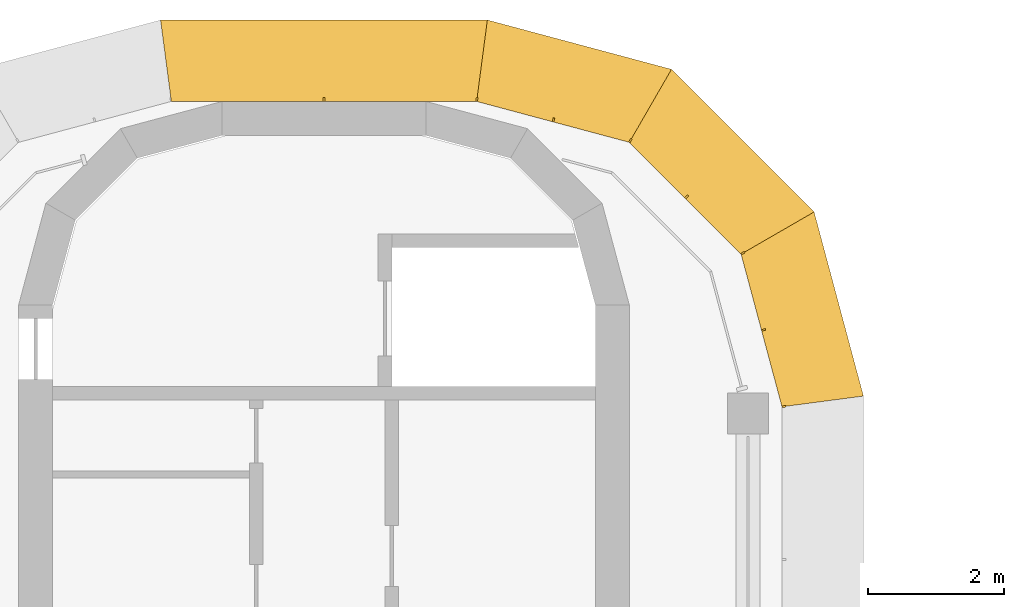
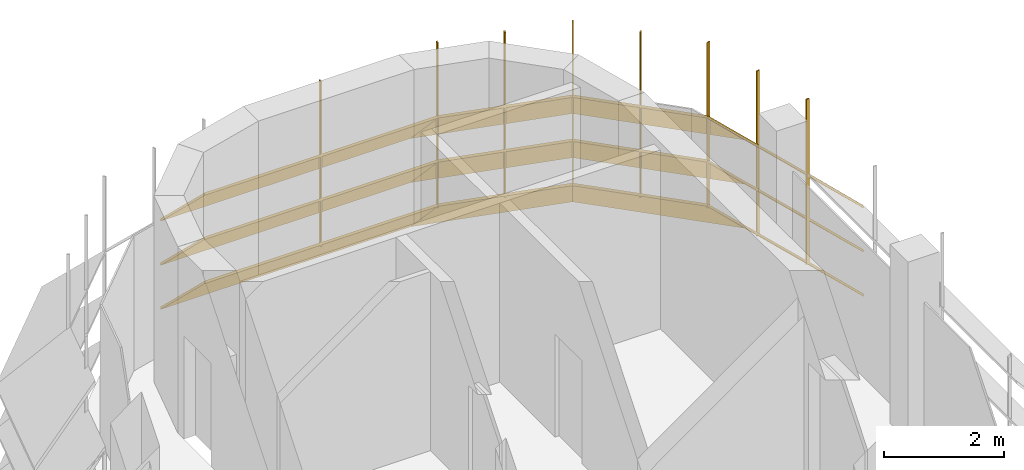
# One storey, part 19 of 19: 2 shading devices.
"""IFC4 building model written with IfcOpenShell, lengths in metres."""

from ifc_helpers import new_model, si_unit, direction, frame, origin, place, context, subcontext, project, spatial, polyline, outline, extrude, faceted_brep, source, transform, mapped, material, type_object, element, save


model = new_model("IFC4")

# Units and contexts
model_context = context("Model", 3, precision=1e-05, world=origin(), true_north=direction((0.0, 1.0)))
body_context = subcontext(model_context, "Body", "Model", "MODEL_VIEW")
ifc_project = project(units=[si_unit("LENGTHUNIT", "METRE"), si_unit("AREAUNIT", "SQUARE_METRE"), si_unit("VOLUMEUNIT", "CUBIC_METRE"), si_unit("PLANEANGLEUNIT", "RADIAN"), si_unit("MASSUNIT", "GRAM", prefix="KILO")], contexts=[model_context])

# Site, building, storey
site_placement = place(None, origin())
site = spatial("IfcSite", under=ifc_project, at=site_placement, CompositionType="ELEMENT")
building_placement = place(site_placement, origin())
building = spatial("IfcBuilding", under=site, at=building_placement, Name="Zarbagh Exchange Tower", CompositionType="ELEMENT")
storey_placement = place(building_placement, frame((0.0, 0.0, 272.60009765625)))
storey = spatial("IfcBuildingStorey", under=building, at=storey_placement, Name="L67", CompositionType="ELEMENT", Elevation=272.60009765625)

# Shading devices
ifc_material = material(Name="Anodised aluminium blades and brackets", Category="aluminium")
shading_device_type = type_object("IfcShadingDeviceType", Name="SUNSHADE louvre band, 45 degree blades", PredefinedType="JALOUSIE", material=ifc_material)
shared_shape_1 = source(origin(), body_context, "Body", "Brep", [
    faceted_brep([(0.0, 0.0, 0.0), (0.0, 0.0, -0.056640625), (-0.157958984375, -1.199951171875, -1.256591796875), (-0.157958984375, -1.199951171875, -1.199951171875), (2.65087890625, -1.199951171875, -1.199951171875), (2.65087890625, -1.199951171875, -1.256591796875), (2.329345703125, 0.0, -0.056640625), (2.329345703125, 0.0, 0.0)], [[[0, 1, 2, 3]], [[4, 5, 6, 7]], [[0, 7, 6, 1]], [[1, 6, 5, 2]], [[2, 5, 4, 3]], [[3, 4, 7, 0]]]),
])
shared_shape_2 = source(origin(), body_context, "Body", "Brep", [
    faceted_brep([(0.0, 0.0, 0.0), (0.0, 0.0, -0.056640625), (-0.321533203125, -1.199951171875, -1.256591796875), (-0.321533203125, -1.199951171875, -1.199951171875), (2.65087890625, -1.199951171875, -1.199951171875), (2.65087890625, -1.199951171875, -1.256591796875), (2.329345703125, 0.0, -0.056640625), (2.329345703125, 0.0, 0.0)], [[[0, 1, 2, 3]], [[4, 5, 6, 7]], [[0, 7, 6, 1]], [[1, 6, 5, 2]], [[2, 5, 4, 3]], [[3, 4, 7, 0]]]),
])
shared_shape_3 = source(origin(), body_context, "Body", "Brep", [
    faceted_brep([(0.0, 0.0, 0.0), (0.0, 0.0, -0.056640625), (-0.321533203125, -1.199951171875, -1.256591796875), (-0.321533203125, -1.199951171875, -1.199951171875), (2.4873046875, -1.199951171875, -1.199951171875), (2.4873046875, -1.199951171875, -1.256591796875), (2.329345703125, 0.0, -0.056640625), (2.329345703125, 0.0, 0.0)], [[[0, 1, 2, 3]], [[4, 5, 6, 7]], [[0, 7, 6, 1]], [[1, 6, 5, 2]], [[2, 5, 4, 3]], [[3, 4, 7, 0]]]),
])
shared_shape_4 = source(origin(), body_context, "Body", "SweptSolid", [
    extrude(outline(polyline([(0.0, -0.012451171875), (0.06005859375, -0.012451171875), (0.06005859375, 0.012451171875), (0.0, 0.012451171875), (0.0, -0.012451171875)])), origin(), (0.0, 0.0, 1.0), 3.366455078125),
])
placement = place(storey_placement, origin())
element("IfcShadingDevice", 1, at=placement, inside=storey, type_object=shading_device_type, Name="SS46 sunshade band", PredefinedType="JALOUSIE", context=body_context, shape_type="MappedRepresentation", body=[
    mapped(shared_shape_1, transform((6.75, 24.75, 2.2998046875), x_axis=(-0.258824779902, 0.965924289636, 0.0), y_axis=(-0.965924289636, -0.258824779902, 0.0), z_axis=(0.0, 0.0, 1.0))),
    mapped(shared_shape_1, transform((6.75, 24.75, 1.39990234375), x_axis=(-0.258824779902, 0.965924289636, 0.0), y_axis=(-0.965924289636, -0.258824779902, 0.0), z_axis=(0.0, 0.0, 1.0))),
    mapped(shared_shape_1, transform((6.75, 24.75, 0.5), x_axis=(-0.258824779902, 0.965924289636, 0.0), y_axis=(-0.965924289636, -0.258824779902, 0.0), z_axis=(0.0, 0.0, 1.0))),
    mapped(shared_shape_2, transform((6.147216796875, 27.0, 2.2998046875), x_axis=(-0.707106781187, 0.707106781187, 0.0), y_axis=(-0.707106781187, -0.707106781187, 0.0), z_axis=(0.0, 0.0, 1.0))),
    mapped(shared_shape_2, transform((6.147216796875, 27.0, 1.39990234375), x_axis=(-0.707106781187, 0.707106781187, 0.0), y_axis=(-0.707106781187, -0.707106781187, 0.0), z_axis=(0.0, 0.0, 1.0))),
    mapped(shared_shape_2, transform((6.147216796875, 27.0, 0.5), x_axis=(-0.707106781187, 0.707106781187, 0.0), y_axis=(-0.707106781187, -0.707106781187, 0.0), z_axis=(0.0, 0.0, 1.0))),
    mapped(shared_shape_3, transform((4.5, 28.647216796875, 2.2998046875), x_axis=(-0.965924289636, 0.258824779902, 0.0), y_axis=(-0.258824779902, -0.965924289636, 0.0), z_axis=(0.0, 0.0, 1.0))),
    mapped(shared_shape_3, transform((4.5, 28.647216796875, 1.39990234375), x_axis=(-0.965924289636, 0.258824779902, 0.0), y_axis=(-0.258824779902, -0.965924289636, 0.0), z_axis=(0.0, 0.0, 1.0))),
    mapped(shared_shape_3, transform((4.5, 28.647216796875, 0.5), x_axis=(-0.965924289636, 0.258824779902, 0.0), y_axis=(-0.258824779902, -0.965924289636, 0.0), z_axis=(0.0, 0.0, 1.0))),
    mapped(shared_shape_4, transform((6.75, 24.75, 0.413330078125), x_axis=(0.991444457092, 0.130529263012, 0.0), y_axis=(-0.130529263012, 0.991444457092, 0.0), z_axis=(0.0, 0.0, 1.0))),
    mapped(shared_shape_4, transform((6.448486328125, 25.875, 0.413330078125), x_axis=(0.96592421511, 0.258825058029, 0.0), y_axis=(-0.258825058029, 0.96592421511, 0.0), z_axis=(0.0, 0.0, 1.0))),
    mapped(shared_shape_4, transform((6.147216796875, 27.0, 0.413330078125), x_axis=(0.866023812018, 0.50000275701, 0.0), y_axis=(-0.50000275701, 0.866023812018, 0.0), z_axis=(0.0, 0.0, 1.0))),
    mapped(shared_shape_4, transform((5.323486328125, 27.823486328125, 0.413330078125), x_axis=(0.707106781187, 0.707106781187, 0.0), y_axis=(-0.707106781187, 0.707106781187, 0.0), z_axis=(0.0, 0.0, 1.0))),
    mapped(shared_shape_4, transform((4.5, 28.647216796875, 0.413330078125), x_axis=(0.50000275701, 0.866023812018, 0.0), y_axis=(-0.866023812018, 0.50000275701, 0.0), z_axis=(0.0, 0.0, 1.0))),
    mapped(shared_shape_4, transform((3.375, 28.948486328125, 0.413330078125), x_axis=(0.258825058029, 0.96592421511, 0.0), y_axis=(-0.96592421511, 0.258825058029, 0.0), z_axis=(0.0, 0.0, 1.0))),
])
shared_shape_5 = source(origin(), body_context, "Body", "Brep", [
    faceted_brep([(0.0, 0.0, 0.0), (0.0, 0.0, -0.056640625), (-0.157958984375, -1.199951171875, -1.256591796875), (-0.157958984375, -1.199951171875, -1.199951171875), (4.657958984375, -1.199951171875, -1.199951171875), (4.657958984375, -1.199951171875, -1.256591796875), (4.5, 0.0, -0.056640625), (4.5, 0.0, 0.0)], [[[0, 1, 2, 3]], [[4, 5, 6, 7]], [[0, 7, 6, 1]], [[1, 6, 5, 2]], [[2, 5, 4, 3]], [[3, 4, 7, 0]]]),
])
element("IfcShadingDevice", 2, at=placement, inside=storey, type_object=shading_device_type, Name="SS47 sunshade band", PredefinedType="JALOUSIE", context=body_context, shape_type="MappedRepresentation", body=[
    mapped(shared_shape_5, transform((2.25, 29.25, 2.2998046875), x_axis=(-1.0, 0.0, 0.0), y_axis=(0.0, -1.0, 0.0), z_axis=(0.0, 0.0, 1.0))),
    mapped(shared_shape_5, transform((2.25, 29.25, 1.39990234375), x_axis=(-1.0, 0.0, 0.0), y_axis=(0.0, -1.0, 0.0), z_axis=(0.0, 0.0, 1.0))),
    mapped(shared_shape_5, transform((2.25, 29.25, 0.5), x_axis=(-1.0, 0.0, 0.0), y_axis=(0.0, -1.0, 0.0), z_axis=(0.0, 0.0, 1.0))),
    mapped(shared_shape_4, transform((2.25, 29.25, 0.413330078125), x_axis=(0.130529263012, 0.991444457092, 0.0), y_axis=(-0.991444457092, 0.130529263012, 0.0), z_axis=(0.0, 0.0, 1.0))),
    mapped(shared_shape_4, transform((0.0, 29.25, 0.413330078125), x_axis=(0.0, 1.0, 0.0), y_axis=(-1.0, 0.0, 0.0), z_axis=(0.0, 0.0, 1.0))),
])

save(model, "model.ifc")
